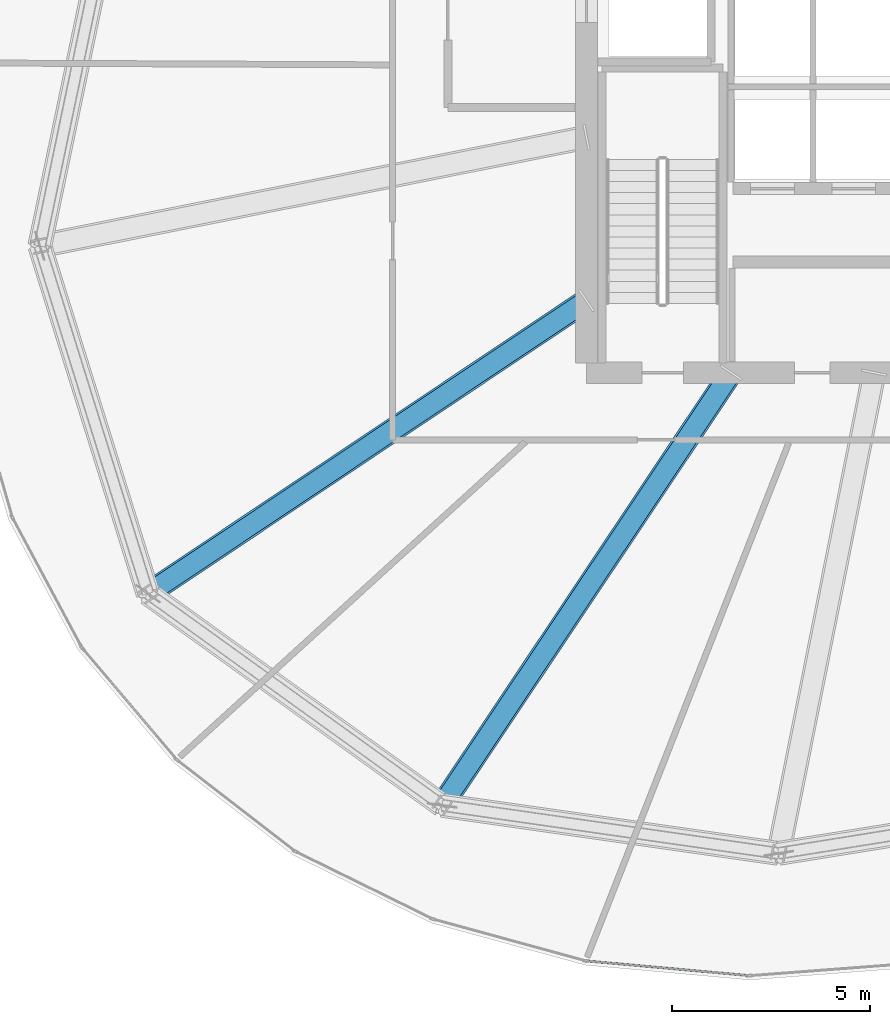
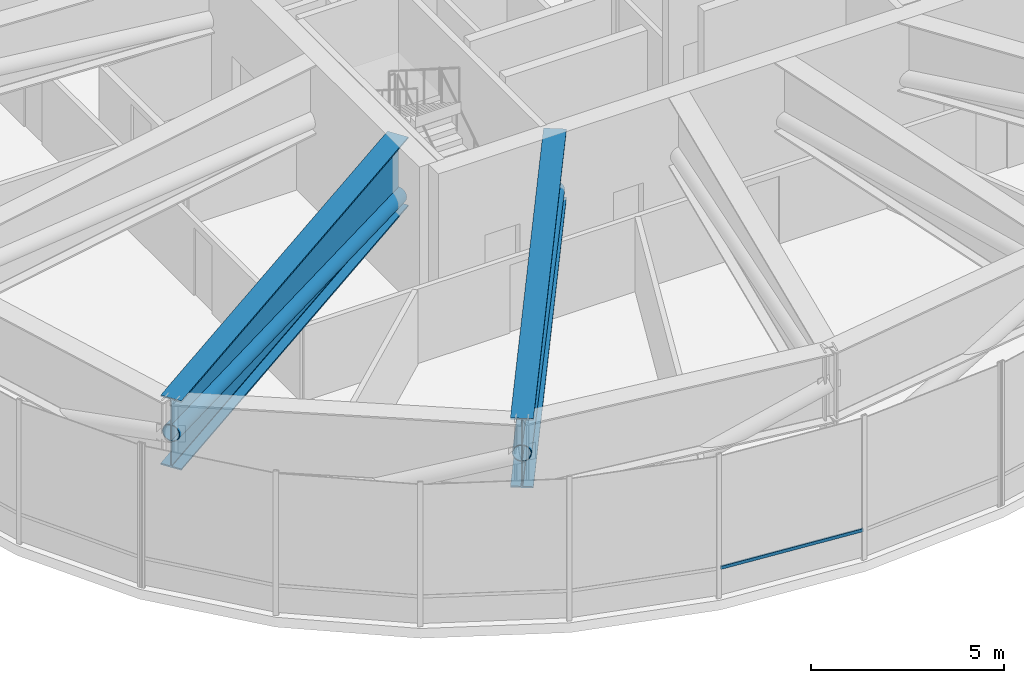
# One storey, part 5 of 30: 3 members, 2 beams, 1 element without a shape of its own.
"""IFC4 building model written with IfcOpenShell, lengths in metres."""

from ifc_helpers import new_model, si_unit, direction, frame, origin, origin_2d, place, context, subcontext, project, spatial, hollow_rectangle, hollow_circle, i_section, extrude, source, transform, mapped, material, layer, layer_set, material_profile, profile_set, type_object, element, aggregate, save


model = new_model("IFC4")

# Units and contexts
model_context = context("Model", 3, precision=1e-05, world=origin(), true_north=direction((0.0, 1.0)))
body_context = subcontext(model_context, "Body", "Model", "MODEL_VIEW")
ifc_project = project(units=[si_unit("LENGTHUNIT", "METRE"), si_unit("AREAUNIT", "SQUARE_METRE"), si_unit("VOLUMEUNIT", "CUBIC_METRE"), si_unit("PLANEANGLEUNIT", "RADIAN"), si_unit("MASSUNIT", "GRAM", prefix="KILO"), si_unit("THERMODYNAMICTEMPERATUREUNIT", "KELVIN")], contexts=[model_context])

# Site, building, storey
site_placement = place(None, origin())
site = spatial("IfcSite", under=ifc_project, at=site_placement, CompositionType="ELEMENT")
building_placement = place(site_placement, origin())
building = spatial("IfcBuilding", under=site, at=building_placement, Name="Kethvar Cultural Tower", CompositionType="ELEMENT")
storey_placement = place(building_placement, frame((0.0, 0.0, 171.39990234375)))
storey = spatial("IfcBuildingStorey", under=building, at=storey_placement, Name="L44", CompositionType="ELEMENT", Elevation=171.39990234375)

# Beam
ifc_material_1 = material(Name="Steel S460M", Category="steel")
ifc_material_profile_1 = material_profile(ifc_material_1, i_section(OverallWidth=0.60009765625, OverallDepth=2.199951171875, WebThickness=0.028076171875, FlangeThickness=0.044921875, FilletRadius=0.02197265625, at=origin_2d()), Name="Steel S460M — PG2200x600x45x28")
ifc_profile_set_1 = profile_set([ifc_material_profile_1], Name="Steel S460M — PG2200x600x45x28")
beam_type = type_object("IfcBeamType", Name="BM-TR2200", PredefinedType="BEAM", material=ifc_profile_set_1)
shared_shape_1 = source(origin(), body_context, "Body", "SweptSolid", [
    extrude(i_section(OverallWidth=0.60009765625, OverallDepth=2.199951171875, WebThickness=0.028076171875, FlangeThickness=0.044921875, FilletRadius=0.02197265625, at=origin_2d()), origin(), (0.0, 0.0, 1.0), 13.324951171875),
])
beam_1_placement = place(storey_placement, frame((38.0, 21.919921875, 3.47802734375), z_axis=(-0.831474815475, -0.555562445843, 0.0), x_axis=(0.555562445843, -0.831474815475, 0.0)))
element("IfcBeam", 1, at=beam_1_placement, inside=storey, type_object=beam_type, Name="L44 Outrigger Transfer Girder OG-10", PredefinedType="BEAM", context=body_context, shape_type="MappedRepresentation", body=[
    mapped(shared_shape_1, transform((0.0, 0.0, 0.0), scale=1.0)),
])

# Member
ifc_material_profile_2 = material_profile(ifc_material_1, hollow_circle(Radius=0.25390625, WallThickness=0.02001953125, at=origin_2d()), Name="Steel S460M — CHS508x20")
ifc_profile_set_2 = profile_set([ifc_material_profile_2], Name="Steel S460M — CHS508x20")
member_type_1 = type_object("IfcMemberType", Name="MB-OUT-508", PredefinedType="BRACE", material=ifc_profile_set_2)
shared_shape_2 = source(origin(), body_context, "Body", "SweptSolid", [
    extrude(hollow_circle(Radius=0.25390625, WallThickness=0.02001953125, at=origin_2d()), origin(), (0.0, 0.0, 1.0), 13.3505859375),
])
member_1_placement = place(storey_placement, frame((38.0, 21.919921875, 2.650146484375), z_axis=(-0.829874632511, -0.554493259448, 0.062010640551), x_axis=(0.555562445843, -0.831474815475, 0.0)))
element("IfcMember", 2, at=member_1_placement, inside=storey, type_object=member_type_1, Name="L44 Outrigger Truss Diagonal OB-10", PredefinedType="BRACE", context=body_context, shape_type="MappedRepresentation", body=[
    mapped(shared_shape_2, transform((0.0, 0.0, 0.0), scale=1.0)),
])

# Beam
shared_shape_3 = source(origin(), body_context, "Body", "SweptSolid", [
    extrude(i_section(OverallWidth=0.60009765625, OverallDepth=2.199951171875, WebThickness=0.028076171875, FlangeThickness=0.044921875, FilletRadius=0.02197265625, at=origin_2d()), origin(), (0.0, 0.0, 1.0), 13.147216796875),
])
beam_2_placement = place(storey_placement, frame((41.655029296875, 20.10009765625, 3.47802734375), z_axis=(-0.555565525446, -0.831472757783, 0.0), x_axis=(0.831472757783, -0.555565525446, 0.0)))
element("IfcBeam", 3, at=beam_2_placement, inside=storey, type_object=beam_type, Name="L44 Outrigger Transfer Girder OG-11", PredefinedType="BEAM", context=body_context, shape_type="MappedRepresentation", body=[
    mapped(shared_shape_3, transform((0.0, 0.0, 0.0), scale=1.0)),
])

# Member
shared_shape_4 = source(origin(), body_context, "Body", "SweptSolid", [
    extrude(hollow_circle(Radius=0.25390625, WallThickness=0.02001953125, at=origin_2d()), origin(), (0.0, 0.0, 1.0), 13.17333984375),
])
member_2_placement = place(storey_placement, frame((41.655029296875, 20.10009765625, 2.650146484375), z_axis=(-0.55446733632, -0.829829181465, 0.062845067767), x_axis=(0.831472757783, -0.555565525446, 0.0)))
element("IfcMember", 4, at=member_2_placement, inside=storey, type_object=member_type_1, Name="L44 Outrigger Truss Diagonal OB-11", PredefinedType="BRACE", context=body_context, shape_type="MappedRepresentation", body=[
    mapped(shared_shape_4, transform((0.0, 0.0, 0.0), scale=1.0)),
])

# Curtain wall, member
ifc_material_2 = material(Name="Aluminium 6063-T6", Category="aluminium")
ifc_layer = layer(ifc_material_2, 0.179931640625, Name="Aluminium 6063-T6", Category="aluminium")
ifc_layer_set = layer_set([ifc_layer], Name="Aluminium 6063-T6 (180 mm)")
curtain_wall_type = type_object("IfcCurtainWallType", Name="CW-SYS-04-Z34", PredefinedType="NOTDEFINED", material=ifc_layer_set)
curtain_wall_placement = place(storey_placement, origin())
curtain_wall = element("IfcCurtainWall", 5, at=curtain_wall_placement, inside=storey, type_object=curtain_wall_type, Name="L44 Curtain Wall Run 04", PredefinedType="NOTDEFINED")
ifc_material_profile_3 = material_profile(ifc_material_2, hollow_rectangle(XDim=0.050048828125, YDim=0.10009765625, WallThickness=0.00390625, at=origin_2d()), Name="Aluminium 6063-T6 — RHS100x50x4")
ifc_profile_set_3 = profile_set([ifc_material_profile_3], Name="Aluminium 6063-T6 — RHS100x50x4")
member_type_2 = type_object("IfcMemberType", Name="CW-SYS-04-Z34-TRN", PredefinedType="USERDEFINED", material=ifc_profile_set_3)
shared_shape_5 = source(origin(), body_context, "Body", "SweptSolid", [
    extrude(hollow_rectangle(XDim=0.050048828125, YDim=0.10009765625, WallThickness=0.00390625, at=origin_2d()), origin(), (0.0, 0.0, 1.0), 4.083984375),
])
member_3_placement = place(storey_placement, frame((38.024169921875, 5.234130859375, 0.9501953125), z_axis=(0.995971716592, -0.089667941593, 0.0), x_axis=(0.089667941593, 0.995971716592, 0.0)))
member_3 = element("IfcMember", 6, at=member_3_placement, type_object=member_type_2, Name="CW-L44-R04 Transom 5", ObjectType="TRANSOM", PredefinedType="USERDEFINED", context=body_context, shape_type="MappedRepresentation", body=[
    mapped(shared_shape_5, transform((0.0, 0.0, 0.0), scale=1.0)),
])
aggregate(curtain_wall, [member_3])

save(model, "model.ifc")
